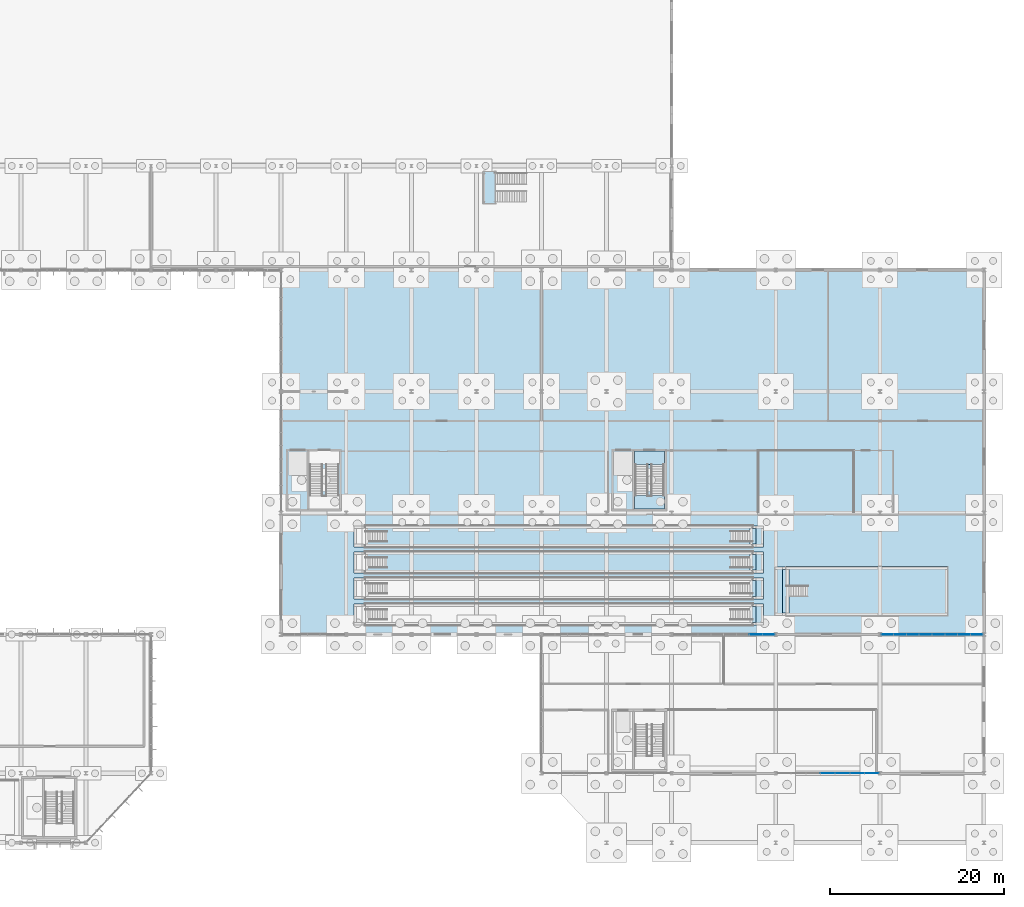
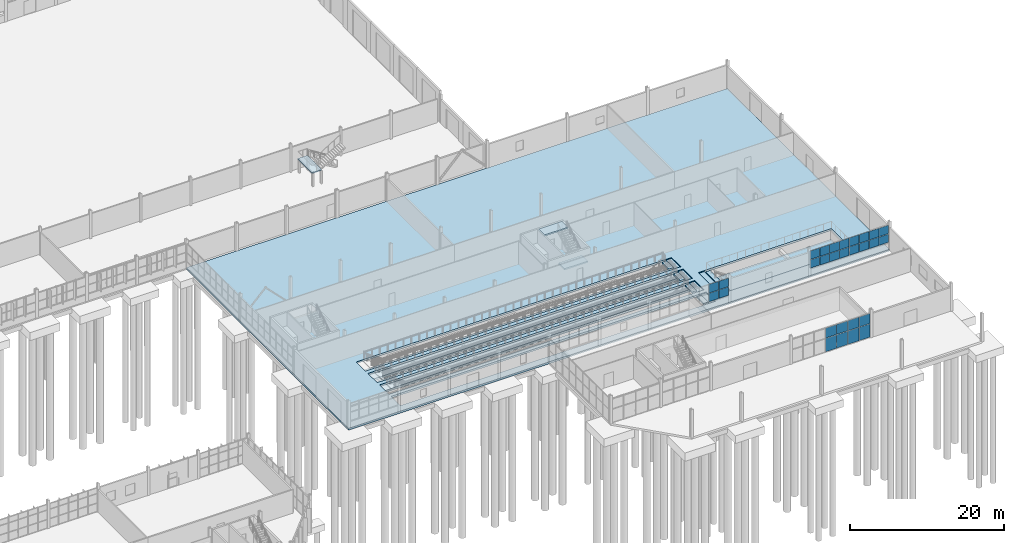
# One storey, part 97 of 136: 28 plates, 17 slabs, 5 elements without a shape of their own.
"""IFC4 building model written with IfcOpenShell, lengths in metres."""

from ifc_helpers import new_model, si_unit, direction, frame, origin, origin_2d, place, context, subcontext, project, spatial, polyline, rectangle, outline, extrude, material, layer, layer_set, type_object, element, aggregate, save


model = new_model("IFC4")

# Units and contexts
model_context = context("Model", 3, precision=1e-05, world=origin(), true_north=direction((0.0, 1.0)))
body_context = subcontext(model_context, "Body", "Model", "MODEL_VIEW")
ifc_project = project(units=[si_unit("LENGTHUNIT", "METRE"), si_unit("AREAUNIT", "SQUARE_METRE"), si_unit("VOLUMEUNIT", "CUBIC_METRE"), si_unit("PLANEANGLEUNIT", "RADIAN"), si_unit("MASSUNIT", "GRAM", prefix="KILO")], contexts=[model_context])

# Site, building, storey
site_placement = place(None, origin())
site = spatial("IfcSite", under=ifc_project, at=site_placement, CompositionType="ELEMENT")
building_placement = place(site_placement, origin())
building = spatial("IfcBuilding", under=site, at=building_placement, Name="Solvenia Promenade Tram Depot", CompositionType="ELEMENT")
storey_placement = place(building_placement, origin())
storey = spatial("IfcBuildingStorey", under=building, at=storey_placement, Name="L00", CompositionType="ELEMENT", Elevation=0.0)

# Curtain wall, plates
ifc_material_1 = material(Name="Anodized aluminium AW-6063 T6", Category="aluminium")
ifc_layer_1 = layer(ifc_material_1, 0.179931640625, Name="Anodized aluminium AW-6063 T6", Category="aluminium")
ifc_layer_set_1 = layer_set([ifc_layer_1], Name="Anodized aluminium AW-6063 T6")
curtain_wall_type_1 = type_object("IfcCurtainWallType", Name="CW-Prom-1800", PredefinedType="NOTDEFINED", material=ifc_layer_set_1)
curtain_wall_1_placement = place(storey_placement, origin())
curtain_wall_1 = element("IfcCurtainWall", 1, at=curtain_wall_1_placement, inside=storey, type_object=curtain_wall_type_1, Name="Curtain Wall CW-V5S-L0-04", PredefinedType="NOTDEFINED")
ifc_material_2 = material(Name="Double low-e argon insulated glass", Category="glass")
ifc_layer_2 = layer(ifc_material_2, 0.031982421875, Name="Double low-e argon insulated glass", Category="glass")
ifc_layer_set_2 = layer_set([ifc_layer_2], Name="Double low-e argon insulated glass")
plate_type_1 = type_object("IfcPlateType", Name="CWP-Panel-2", PredefinedType="CURTAIN_PANEL", material=ifc_layer_set_2)
plate_1_placement = place(storey_placement, frame((168.0, 8.0, 0.05517578125), z_axis=(0.0, 0.0, 1.0), x_axis=(1.0, 0.0, 0.0)))
plate_1 = element("IfcPlate", 2, at=plate_1_placement, type_object=plate_type_1, Name="CW-9 panel 4.1", PredefinedType="CURTAIN_PANEL", context=body_context, shape_type="SweptSolid", body=[
    extrude(rectangle(XDim=1.636474609375, YDim=0.031982421875, at=origin_2d()), origin(), (0.0, 0.0, 1.0), 2.117431640625),
])
plate_2_placement = place(storey_placement, frame((168.0, 8.0, 2.2275390625), z_axis=(0.0, 0.0, 1.0), x_axis=(1.0, 0.0, 0.0)))
plate_2 = element("IfcPlate", 3, at=plate_2_placement, type_object=plate_type_1, Name="CW-9 panel 4.2", PredefinedType="CURTAIN_PANEL", context=body_context, shape_type="SweptSolid", body=[
    extrude(rectangle(XDim=1.636474609375, YDim=0.031982421875, at=origin_2d()), origin(), (0.0, 0.0, 1.0), 1.5673828125),
])
plate_3_placement = place(storey_placement, frame((169.69140625, 8.0, 0.05517578125), z_axis=(0.0, 0.0, 1.0), x_axis=(1.0, 0.0, 0.0)))
plate_3 = element("IfcPlate", 4, at=plate_3_placement, type_object=plate_type_1, Name="CW-9 panel 5.1", PredefinedType="CURTAIN_PANEL", context=body_context, shape_type="SweptSolid", body=[
    extrude(rectangle(XDim=1.636474609375, YDim=0.031982421875, at=origin_2d()), origin(), (0.0, 0.0, 1.0), 2.117431640625),
])
plate_4_placement = place(storey_placement, frame((169.69140625, 8.0, 2.2275390625), z_axis=(0.0, 0.0, 1.0), x_axis=(1.0, 0.0, 0.0)))
plate_4 = element("IfcPlate", 5, at=plate_4_placement, type_object=plate_type_1, Name="CW-9 panel 5.2", PredefinedType="CURTAIN_PANEL", context=body_context, shape_type="SweptSolid", body=[
    extrude(rectangle(XDim=1.636474609375, YDim=0.031982421875, at=origin_2d()), origin(), (0.0, 0.0, 1.0), 1.5673828125),
])
plate_5_placement = place(storey_placement, frame((171.3828125, 8.0, 0.05517578125), z_axis=(0.0, 0.0, 1.0), x_axis=(1.0, 0.0, 0.0)))
plate_5 = element("IfcPlate", 6, at=plate_5_placement, type_object=plate_type_1, Name="CW-9 panel 6.1", PredefinedType="CURTAIN_PANEL", context=body_context, shape_type="SweptSolid", body=[
    extrude(rectangle(XDim=1.636474609375, YDim=0.031982421875, at=origin_2d()), origin(), (0.0, 0.0, 1.0), 2.117431640625),
])
plate_6_placement = place(storey_placement, frame((171.3828125, 8.0, 2.2275390625), z_axis=(0.0, 0.0, 1.0), x_axis=(1.0, 0.0, 0.0)))
plate_6 = element("IfcPlate", 7, at=plate_6_placement, type_object=plate_type_1, Name="CW-9 panel 6.2", PredefinedType="CURTAIN_PANEL", context=body_context, shape_type="SweptSolid", body=[
    extrude(rectangle(XDim=1.636474609375, YDim=0.031982421875, at=origin_2d()), origin(), (0.0, 0.0, 1.0), 1.5673828125),
])
plate_7_placement = place(storey_placement, frame((173.060546875, 8.0, 0.05517578125), z_axis=(0.0, 0.0, 1.0), x_axis=(1.0, 0.0, 0.0)))
plate_7 = element("IfcPlate", 8, at=plate_7_placement, type_object=plate_type_1, Name="CW-9 panel 7.1", PredefinedType="CURTAIN_PANEL", context=body_context, shape_type="SweptSolid", body=[
    extrude(rectangle(XDim=1.60888671875, YDim=0.031982421875, at=origin_2d()), origin(), (0.0, 0.0, 1.0), 2.117431640625),
])
plate_8_placement = place(storey_placement, frame((173.060546875, 8.0, 2.2275390625), z_axis=(0.0, 0.0, 1.0), x_axis=(1.0, 0.0, 0.0)))
plate_8 = element("IfcPlate", 9, at=plate_8_placement, type_object=plate_type_1, Name="CW-9 panel 7.2", PredefinedType="CURTAIN_PANEL", context=body_context, shape_type="SweptSolid", body=[
    extrude(rectangle(XDim=1.60888671875, YDim=0.031982421875, at=origin_2d()), origin(), (0.0, 0.0, 1.0), 1.5673828125),
])
aggregate(curtain_wall_1, [plate_1, plate_2, plate_3, plate_4, plate_5, plate_6, plate_7, plate_8])

ifc_layer_3 = layer(ifc_material_1, 0.179931640625, Name="Anodized aluminium AW-6063 T6", Category="aluminium")
ifc_layer_set_3 = layer_set([ifc_layer_3], Name="Anodized aluminium AW-6063 T6")
curtain_wall_type_2 = type_object("IfcCurtainWallType", Name="CW-Solar-1500", PredefinedType="NOTDEFINED", material=ifc_layer_set_3)
curtain_wall_2_placement = place(storey_placement, origin())
curtain_wall_2 = element("IfcCurtainWall", 10, at=curtain_wall_2_placement, inside=storey, type_object=curtain_wall_type_2, Name="Curtain Wall CW-V2S-L0-07", PredefinedType="NOTDEFINED")
ifc_layer_4 = layer(ifc_material_2, 0.035888671875, Name="Double low-e argon insulated glass", Category="glass")
ifc_layer_set_4 = layer_set([ifc_layer_4], Name="Double low-e argon insulated glass")
plate_type_2 = type_object("IfcPlateType", Name="CWP-Panel-3", PredefinedType="CURTAIN_PANEL", material=ifc_layer_set_4)
plate_9_placement = place(storey_placement, frame((159.699951171875, 24.0, 1.157958984375), z_axis=(0.0, 0.0, 1.0), x_axis=(1.0, 0.0, 0.0)))
plate_9 = element("IfcPlate", 11, at=plate_9_placement, type_object=plate_type_2, Name="CW-7 panel 7.1", PredefinedType="CURTAIN_PANEL", context=body_context, shape_type="SweptSolid", body=[
    extrude(rectangle(XDim=1.431884765625, YDim=0.035888671875, at=origin_2d()), origin(), (0.0, 0.0, 1.0), 1.31298828125),
])
plate_10_placement = place(storey_placement, frame((159.699951171875, 24.0, 2.52880859375), z_axis=(0.0, 0.0, 1.0), x_axis=(1.0, 0.0, 0.0)))
plate_10 = element("IfcPlate", 12, at=plate_10_placement, type_object=plate_type_2, Name="CW-7 panel 7.2", PredefinedType="CURTAIN_PANEL", context=body_context, shape_type="SweptSolid", body=[
    extrude(rectangle(XDim=1.431884765625, YDim=0.035888671875, at=origin_2d()), origin(), (0.0, 0.0, 1.0), 1.363037109375),
])
plate_11_placement = place(storey_placement, frame((161.16796875, 24.0, 1.157958984375), z_axis=(0.0, 0.0, 1.0), x_axis=(1.0, 0.0, 0.0)))
plate_11 = element("IfcPlate", 13, at=plate_11_placement, type_object=plate_type_2, Name="CW-7 panel 8.1", PredefinedType="CURTAIN_PANEL", context=body_context, shape_type="SweptSolid", body=[
    extrude(rectangle(XDim=1.407958984375, YDim=0.035888671875, at=origin_2d()), origin(), (0.0, 0.0, 1.0), 1.31298828125),
])
plate_12_placement = place(storey_placement, frame((161.16796875, 24.0, 2.52880859375), z_axis=(0.0, 0.0, 1.0), x_axis=(1.0, 0.0, 0.0)))
plate_12 = element("IfcPlate", 14, at=plate_12_placement, type_object=plate_type_2, Name="CW-7 panel 8.2", PredefinedType="CURTAIN_PANEL", context=body_context, shape_type="SweptSolid", body=[
    extrude(rectangle(XDim=1.407958984375, YDim=0.035888671875, at=origin_2d()), origin(), (0.0, 0.0, 1.0), 1.363037109375),
])
aggregate(curtain_wall_2, [plate_9, plate_10, plate_11, plate_12])

curtain_wall_3_placement = place(storey_placement, origin())
curtain_wall_3 = element("IfcCurtainWall", 15, at=curtain_wall_3_placement, inside=storey, type_object=curtain_wall_type_2, Name="Curtain Wall CW-V2S-L0-09", PredefinedType="NOTDEFINED")
plate_13_placement = place(storey_placement, frame((174.83203125, 24.0, 1.157958984375), z_axis=(0.0, 0.0, 1.0), x_axis=(1.0, 0.0, 0.0)))
plate_13 = element("IfcPlate", 16, at=plate_13_placement, type_object=plate_type_2, Name="CW-7 panel 1.1", PredefinedType="CURTAIN_PANEL", context=body_context, shape_type="SweptSolid", body=[
    extrude(rectangle(XDim=1.407958984375, YDim=0.035888671875, at=origin_2d()), origin(), (0.0, 0.0, 1.0), 1.31298828125),
])
plate_14_placement = place(storey_placement, frame((174.83203125, 24.0, 2.52880859375), z_axis=(0.0, 0.0, 1.0), x_axis=(1.0, 0.0, 0.0)))
plate_14 = element("IfcPlate", 17, at=plate_14_placement, type_object=plate_type_2, Name="CW-7 panel 1.2", PredefinedType="CURTAIN_PANEL", context=body_context, shape_type="SweptSolid", body=[
    extrude(rectangle(XDim=1.407958984375, YDim=0.035888671875, at=origin_2d()), origin(), (0.0, 0.0, 1.0), 1.363037109375),
])
plate_15_placement = place(storey_placement, frame((176.300048828125, 24.0, 1.157958984375), z_axis=(0.0, 0.0, 1.0), x_axis=(1.0, 0.0, 0.0)))
plate_15 = element("IfcPlate", 18, at=plate_15_placement, type_object=plate_type_2, Name="CW-7 panel 2.1", PredefinedType="CURTAIN_PANEL", context=body_context, shape_type="SweptSolid", body=[
    extrude(rectangle(XDim=1.431884765625, YDim=0.035888671875, at=origin_2d()), origin(), (0.0, 0.0, 1.0), 1.31298828125),
])
plate_16_placement = place(storey_placement, frame((176.300048828125, 24.0, 2.52880859375), z_axis=(0.0, 0.0, 1.0), x_axis=(1.0, 0.0, 0.0)))
plate_16 = element("IfcPlate", 19, at=plate_16_placement, type_object=plate_type_2, Name="CW-7 panel 2.2", PredefinedType="CURTAIN_PANEL", context=body_context, shape_type="SweptSolid", body=[
    extrude(rectangle(XDim=1.431884765625, YDim=0.035888671875, at=origin_2d()), origin(), (0.0, 0.0, 1.0), 1.363037109375),
])
plate_17_placement = place(storey_placement, frame((177.780029296875, 24.0, 1.157958984375), z_axis=(0.0, 0.0, 1.0), x_axis=(1.0, 0.0, 0.0)))
plate_17 = element("IfcPlate", 20, at=plate_17_placement, type_object=plate_type_2, Name="CW-7 panel 3.1", PredefinedType="CURTAIN_PANEL", context=body_context, shape_type="SweptSolid", body=[
    extrude(rectangle(XDim=1.431884765625, YDim=0.035888671875, at=origin_2d()), origin(), (0.0, 0.0, 1.0), 1.31298828125),
])
plate_18_placement = place(storey_placement, frame((177.780029296875, 24.0, 2.52880859375), z_axis=(0.0, 0.0, 1.0), x_axis=(1.0, 0.0, 0.0)))
plate_18 = element("IfcPlate", 21, at=plate_18_placement, type_object=plate_type_2, Name="CW-7 panel 3.2", PredefinedType="CURTAIN_PANEL", context=body_context, shape_type="SweptSolid", body=[
    extrude(rectangle(XDim=1.431884765625, YDim=0.035888671875, at=origin_2d()), origin(), (0.0, 0.0, 1.0), 1.363037109375),
])
plate_19_placement = place(storey_placement, frame((179.260009765625, 24.0, 1.157958984375), z_axis=(0.0, 0.0, 1.0), x_axis=(1.0, 0.0, 0.0)))
plate_19 = element("IfcPlate", 22, at=plate_19_placement, type_object=plate_type_2, Name="CW-7 panel 4.1", PredefinedType="CURTAIN_PANEL", context=body_context, shape_type="SweptSolid", body=[
    extrude(rectangle(XDim=1.431884765625, YDim=0.035888671875, at=origin_2d()), origin(), (0.0, 0.0, 1.0), 1.31298828125),
])
plate_20_placement = place(storey_placement, frame((179.260009765625, 24.0, 2.52880859375), z_axis=(0.0, 0.0, 1.0), x_axis=(1.0, 0.0, 0.0)))
plate_20 = element("IfcPlate", 23, at=plate_20_placement, type_object=plate_type_2, Name="CW-7 panel 4.2", PredefinedType="CURTAIN_PANEL", context=body_context, shape_type="SweptSolid", body=[
    extrude(rectangle(XDim=1.431884765625, YDim=0.035888671875, at=origin_2d()), origin(), (0.0, 0.0, 1.0), 1.363037109375),
])
plate_21_placement = place(storey_placement, frame((180.739990234375, 24.0, 1.157958984375), z_axis=(0.0, 0.0, 1.0), x_axis=(1.0, 0.0, 0.0)))
plate_21 = element("IfcPlate", 24, at=plate_21_placement, type_object=plate_type_2, Name="CW-7 panel 5.1", PredefinedType="CURTAIN_PANEL", context=body_context, shape_type="SweptSolid", body=[
    extrude(rectangle(XDim=1.431884765625, YDim=0.035888671875, at=origin_2d()), origin(), (0.0, 0.0, 1.0), 1.31298828125),
])
plate_22_placement = place(storey_placement, frame((180.739990234375, 24.0, 2.52880859375), z_axis=(0.0, 0.0, 1.0), x_axis=(1.0, 0.0, 0.0)))
plate_22 = element("IfcPlate", 25, at=plate_22_placement, type_object=plate_type_2, Name="CW-7 panel 5.2", PredefinedType="CURTAIN_PANEL", context=body_context, shape_type="SweptSolid", body=[
    extrude(rectangle(XDim=1.431884765625, YDim=0.035888671875, at=origin_2d()), origin(), (0.0, 0.0, 1.0), 1.363037109375),
])
plate_23_placement = place(storey_placement, frame((182.219970703125, 24.0, 1.157958984375), z_axis=(0.0, 0.0, 1.0), x_axis=(1.0, 0.0, 0.0)))
plate_23 = element("IfcPlate", 26, at=plate_23_placement, type_object=plate_type_2, Name="CW-7 panel 6.1", PredefinedType="CURTAIN_PANEL", context=body_context, shape_type="SweptSolid", body=[
    extrude(rectangle(XDim=1.431884765625, YDim=0.035888671875, at=origin_2d()), origin(), (0.0, 0.0, 1.0), 1.31298828125),
])
plate_24_placement = place(storey_placement, frame((182.219970703125, 24.0, 2.52880859375), z_axis=(0.0, 0.0, 1.0), x_axis=(1.0, 0.0, 0.0)))
plate_24 = element("IfcPlate", 27, at=plate_24_placement, type_object=plate_type_2, Name="CW-7 panel 6.2", PredefinedType="CURTAIN_PANEL", context=body_context, shape_type="SweptSolid", body=[
    extrude(rectangle(XDim=1.431884765625, YDim=0.035888671875, at=origin_2d()), origin(), (0.0, 0.0, 1.0), 1.363037109375),
])
plate_25_placement = place(storey_placement, frame((183.699951171875, 24.0, 1.157958984375), z_axis=(0.0, 0.0, 1.0), x_axis=(1.0, 0.0, 0.0)))
plate_25 = element("IfcPlate", 28, at=plate_25_placement, type_object=plate_type_2, Name="CW-7 panel 7.1", PredefinedType="CURTAIN_PANEL", context=body_context, shape_type="SweptSolid", body=[
    extrude(rectangle(XDim=1.431884765625, YDim=0.035888671875, at=origin_2d()), origin(), (0.0, 0.0, 1.0), 1.31298828125),
])
plate_26_placement = place(storey_placement, frame((183.699951171875, 24.0, 2.52880859375), z_axis=(0.0, 0.0, 1.0), x_axis=(1.0, 0.0, 0.0)))
plate_26 = element("IfcPlate", 29, at=plate_26_placement, type_object=plate_type_2, Name="CW-7 panel 7.2", PredefinedType="CURTAIN_PANEL", context=body_context, shape_type="SweptSolid", body=[
    extrude(rectangle(XDim=1.431884765625, YDim=0.035888671875, at=origin_2d()), origin(), (0.0, 0.0, 1.0), 1.363037109375),
])
plate_27_placement = place(storey_placement, frame((185.16796875, 24.0, 1.157958984375), z_axis=(0.0, 0.0, 1.0), x_axis=(1.0, 0.0, 0.0)))
plate_27 = element("IfcPlate", 30, at=plate_27_placement, type_object=plate_type_2, Name="CW-7 panel 8.1", PredefinedType="CURTAIN_PANEL", context=body_context, shape_type="SweptSolid", body=[
    extrude(rectangle(XDim=1.407958984375, YDim=0.035888671875, at=origin_2d()), origin(), (0.0, 0.0, 1.0), 1.31298828125),
])
plate_28_placement = place(storey_placement, frame((185.16796875, 24.0, 2.52880859375), z_axis=(0.0, 0.0, 1.0), x_axis=(1.0, 0.0, 0.0)))
plate_28 = element("IfcPlate", 31, at=plate_28_placement, type_object=plate_type_2, Name="CW-7 panel 8.2", PredefinedType="CURTAIN_PANEL", context=body_context, shape_type="SweptSolid", body=[
    extrude(rectangle(XDim=1.407958984375, YDim=0.035888671875, at=origin_2d()), origin(), (0.0, 0.0, 1.0), 1.363037109375),
])
aggregate(curtain_wall_3, [plate_13, plate_14, plate_15, plate_16, plate_17, plate_18, plate_19, plate_20, plate_21, plate_22, plate_23, plate_24, plate_25, plate_26, plate_27, plate_28])

# Slabs
ifc_material_3 = material(Name="Concrete C28/35", Category="concrete")
ifc_layer_5 = layer(ifc_material_3, 0.300048828125, Name="Concrete C28/35", Category="concrete")
ifc_layer_set_5 = layer_set([ifc_layer_5], Name="Concrete C28/35")
slab_type_1 = type_object("IfcSlabType", Name="Slab-Base-300", PredefinedType="BASESLAB", material=ifc_layer_set_5)
slab_1_placement = place(storey_placement, frame((0.0, 0.0, -0.300048828125)))
element("IfcSlab", 32, at=slab_1_placement, inside=storey, type_object=slab_type_1, Name="L00 V2 Structural Slab", PredefinedType="BASESLAB", context=body_context, shape_type="SweptSolid", body=[
    extrude(outline(polyline([(105.0, 24.0), (186.0, 24.0), (186.0, 66.0), (105.0, 66.0), (105.0, 24.0)]), holes=[polyline([(113.39990234375, 27.5), (160.60009765625, 27.5), (160.60009765625, 25.10009765625), (113.39990234375, 25.10009765625), (113.39990234375, 27.5)]), polyline([(113.39990234375, 30.5), (160.60009765625, 30.5), (160.60009765625, 28.10009765625), (113.39990234375, 28.10009765625), (113.39990234375, 30.5)]), polyline([(113.39990234375, 33.5), (160.60009765625, 33.5), (160.60009765625, 31.10009765625), (113.39990234375, 31.10009765625), (113.39990234375, 33.5)]), polyline([(113.39990234375, 36.5), (160.60009765625, 36.5), (160.60009765625, 34.10009765625), (113.39990234375, 34.10009765625), (113.39990234375, 36.5)]), polyline([(161.89990234375, 31.800048828125), (181.800048828125, 31.800048828125), (181.800048828125, 26.199951171875), (161.89990234375, 26.199951171875), (161.89990234375, 31.800048828125)])]), origin(), (0.0, 0.0, 1.0), 0.300048828125),
])
ifc_layer_6 = layer(ifc_material_3, 0.199951171875, Name="Concrete C28/35", Category="concrete")
ifc_layer_set_6 = layer_set([ifc_layer_6], Name="Concrete C28/35")
slab_type_2 = type_object("IfcSlabType", Name="Slab-Drain-200", PredefinedType="FLOOR", material=ifc_layer_set_6)
slab_2_placement = place(storey_placement, frame((0.0, 0.0, -0.330078125)))
element("IfcSlab", 33, at=slab_2_placement, inside=storey, type_object=slab_type_2, Name="Inspection Pit Bay 1 East Recessed Trench Cover Slab", PredefinedType="FLOOR", context=body_context, shape_type="SweptSolid", body=[
    extrude(outline(polyline([(159.699951171875, 25.10009765625), (160.60009765625, 25.10009765625), (160.60009765625, 27.5), (159.699951171875, 27.5), (159.699951171875, 25.10009765625)])), origin(), (0.0, 0.0, 1.0), 0.2001953125),
])
slab_3_placement = place(storey_placement, frame((0.0, 0.0, -0.330078125)))
element("IfcSlab", 34, at=slab_3_placement, inside=storey, type_object=slab_type_2, Name="Inspection Pit Bay 2 East Recessed Trench Cover Slab", PredefinedType="FLOOR", context=body_context, shape_type="SweptSolid", body=[
    extrude(outline(polyline([(159.699951171875, 28.10009765625), (160.60009765625, 28.10009765625), (160.60009765625, 30.5), (159.699951171875, 30.5), (159.699951171875, 28.10009765625)])), origin(), (0.0, 0.0, 1.0), 0.2001953125),
])
slab_4_placement = place(storey_placement, frame((0.0, 0.0, -0.330078125)))
element("IfcSlab", 35, at=slab_4_placement, inside=storey, type_object=slab_type_2, Name="Inspection Pit Bay 3 East Recessed Trench Cover Slab", PredefinedType="FLOOR", context=body_context, shape_type="SweptSolid", body=[
    extrude(outline(polyline([(159.699951171875, 31.10009765625), (160.60009765625, 31.10009765625), (160.60009765625, 33.5), (159.699951171875, 33.5), (159.699951171875, 31.10009765625)])), origin(), (0.0, 0.0, 1.0), 0.2001953125),
])
slab_5_placement = place(storey_placement, frame((0.0, 0.0, -0.330078125)))
element("IfcSlab", 36, at=slab_5_placement, inside=storey, type_object=slab_type_2, Name="Inspection Pit Bay 4 East Recessed Trench Cover Slab", PredefinedType="FLOOR", context=body_context, shape_type="SweptSolid", body=[
    extrude(outline(polyline([(159.699951171875, 34.10009765625), (160.60009765625, 34.10009765625), (160.60009765625, 36.5), (159.699951171875, 36.5), (159.699951171875, 34.10009765625)])), origin(), (0.0, 0.0, 1.0), 0.2001953125),
])
slab_6_placement = place(storey_placement, frame((0.0, 0.0, -0.330078125)))
element("IfcSlab", 37, at=slab_6_placement, inside=storey, type_object=slab_type_2, Name="Underfloor Wheel Lathe Bay Recessed Trench Cover Slab", PredefinedType="FLOOR", context=body_context, shape_type="SweptSolid", body=[
    extrude(outline(polyline([(161.89990234375, 26.199951171875), (162.800048828125, 26.199951171875), (162.800048828125, 31.800048828125), (161.89990234375, 31.800048828125), (161.89990234375, 26.199951171875)])), origin(), (0.0, 0.0, 1.0), 0.2001953125),
])
ifc_layer_7 = layer(ifc_material_3, 0.219970703125, Name="Concrete C28/35", Category="concrete")
ifc_layer_set_7 = layer_set([ifc_layer_7], Name="Concrete C28/35")
slab_type_3 = type_object("IfcSlabType", Name="Slab-Floor-220", PredefinedType="FLOOR", material=ifc_layer_set_7)
slab_7_placement = place(storey_placement, frame((0.0, 0.0, -0.219970703125)))
element("IfcSlab", 38, at=slab_7_placement, inside=storey, type_object=slab_type_3, Name="Inspection Pit Bay 1 East Stair Arrival Apron", PredefinedType="FLOOR", context=body_context, shape_type="SweptSolid", body=[
    extrude(outline(polyline([(159.0, 25.39990234375), (159.699951171875, 25.39990234375), (159.699951171875, 27.199951171875), (159.0, 27.199951171875), (159.0, 25.39990234375)])), origin(), (0.0, 0.0, 1.0), 0.219970703125),
])
slab_8_placement = place(storey_placement, frame((0.0, 0.0, -0.219970703125)))
element("IfcSlab", 39, at=slab_8_placement, inside=storey, type_object=slab_type_3, Name="Inspection Pit Bay 2 East Stair Arrival Apron", PredefinedType="FLOOR", context=body_context, shape_type="SweptSolid", body=[
    extrude(outline(polyline([(159.0, 28.39990234375), (159.699951171875, 28.39990234375), (159.699951171875, 30.199951171875), (159.0, 30.199951171875), (159.0, 28.39990234375)])), origin(), (0.0, 0.0, 1.0), 0.219970703125),
])
slab_9_placement = place(storey_placement, frame((0.0, 0.0, -0.219970703125)))
element("IfcSlab", 40, at=slab_9_placement, inside=storey, type_object=slab_type_3, Name="Inspection Pit Bay 3 East Stair Arrival Apron", PredefinedType="FLOOR", context=body_context, shape_type="SweptSolid", body=[
    extrude(outline(polyline([(159.0, 31.39990234375), (159.699951171875, 31.39990234375), (159.699951171875, 33.199951171875), (159.0, 33.199951171875), (159.0, 31.39990234375)])), origin(), (0.0, 0.0, 1.0), 0.219970703125),
])
slab_10_placement = place(storey_placement, frame((0.0, 0.0, -0.219970703125)))
element("IfcSlab", 41, at=slab_10_placement, inside=storey, type_object=slab_type_3, Name="Inspection Pit Bay 4 East Stair Arrival Apron", PredefinedType="FLOOR", context=body_context, shape_type="SweptSolid", body=[
    extrude(outline(polyline([(159.0, 34.39990234375), (159.699951171875, 34.39990234375), (159.699951171875, 36.199951171875), (159.0, 36.199951171875), (159.0, 34.39990234375)])), origin(), (0.0, 0.0, 1.0), 0.219970703125),
])
slab_11_placement = place(storey_placement, frame((0.0, 0.0, -0.219970703125)))
element("IfcSlab", 42, at=slab_11_placement, inside=storey, type_object=slab_type_3, Name="Underfloor Wheel Lathe Bay West Stair Arrival Apron", PredefinedType="FLOOR", context=body_context, shape_type="SweptSolid", body=[
    extrude(outline(polyline([(162.800048828125, 26.5), (163.5, 26.5), (163.5, 31.5), (162.800048828125, 31.5), (162.800048828125, 26.5)])), origin(), (0.0, 0.0, 1.0), 0.219970703125),
])

# Stair, slab
ifc_material_4 = material(Name="Structural steel ASTM A992 Gr. 50", Category="steel")
stair_type_1 = type_object("IfcStairType", Name="Stair-Gallery-1280", PredefinedType="TWO_STRAIGHT_RUN_STAIR", material=ifc_material_4)
stair_1_placement = place(storey_placement, origin())
stair_1 = element("IfcStair", 43, at=stair_1_placement, inside=storey, type_object=stair_type_1, Name="Catenary Gallery Steel Stair ST-GAL-02", PredefinedType="TWO_STRAIGHT_RUN_STAIR")
ifc_layer_8 = layer(ifc_material_3, 0.1650390625, Name="Concrete C28/35", Category="concrete")
ifc_layer_set_8 = layer_set([ifc_layer_8], Name="Concrete C28/35")
slab_type_4 = type_object("IfcSlabType", Name="Slab-Landing-165", PredefinedType="LANDING", material=ifc_layer_set_8)
slab_12_placement = place(storey_placement, frame((0.0, 0.0, 2.0849609375)))
slab_12 = element("IfcSlab", 44, at=slab_12_placement, type_object=slab_type_4, Name="ST-GAL-02 landing 1", PredefinedType="LANDING", context=body_context, shape_type="SweptSolid", body=[
    extrude(outline(polyline([(128.199951171875, 73.64990234375), (129.64990234375, 73.64990234375), (129.64990234375, 77.35009765625), (128.199951171875, 77.35009765625), (128.199951171875, 73.64990234375)])), origin(), (0.0, 0.0, 1.0), 0.1650390625),
])
aggregate(stair_1, [slab_12])

# Stair, slabs
stair_type_2 = type_object("IfcStairType", Name="Stair-Core-1460", PredefinedType="TWO_STRAIGHT_RUN_STAIR", material=ifc_material_3)
stair_2_placement = place(storey_placement, origin())
stair_2 = element("IfcStair", 45, at=stair_2_placement, inside=storey, type_object=stair_type_2, Name="Enclosed Exit Stair ST-06-L00", PredefinedType="TWO_STRAIGHT_RUN_STAIR")
ifc_layer_9 = layer(ifc_material_3, 0.22509765625, Name="Concrete C28/35", Category="concrete")
ifc_layer_set_9 = layer_set([ifc_layer_9], Name="Concrete C28/35")
slab_type_5 = type_object("IfcSlabType", Name="Slab-Landing-225", PredefinedType="LANDING", material=ifc_layer_set_9)
slab_13_placement = place(storey_placement, frame((0.0, 0.0, 2.02490234375)))
slab_13 = element("IfcSlab", 46, at=slab_13_placement, type_object=slab_type_5, Name="ST-06-L00 landing 1", PredefinedType="LANDING", context=body_context, shape_type="SweptSolid", body=[
    extrude(outline(polyline([(145.699951171875, 38.449951171875), (149.199951171875, 38.449951171875), (149.199951171875, 40.010009765625), (145.699951171875, 40.010009765625), (145.699951171875, 38.449951171875)])), origin(), (0.0, 0.0, 1.0), 0.22509765625),
])
slab_14_placement = place(storey_placement, frame((0.0, 0.0, 4.27490234375)))
slab_14 = element("IfcSlab", 47, at=slab_14_placement, type_object=slab_type_5, Name="ST-06-L00 landing 2", PredefinedType="LANDING", context=body_context, shape_type="SweptSolid", body=[
    extrude(outline(polyline([(145.699951171875, 43.590087890625), (149.199951171875, 43.590087890625), (149.199951171875, 45.14990234375), (145.699951171875, 45.14990234375), (145.699951171875, 43.590087890625)])), origin(), (0.0, 0.0, 1.0), 0.22509765625),
])
aggregate(stair_2, [slab_13, slab_14])

# Slabs
ifc_material_5 = material(Name="Concrete C35/45", Category="concrete")
ifc_layer_10 = layer(ifc_material_5, 0.35009765625, Name="Concrete C35/45", Category="concrete")
ifc_layer_set_10 = layer_set([ifc_layer_10], Name="Concrete C35/45")
slab_type_6 = type_object("IfcSlabType", Name="Slab-Pit-350", PredefinedType="BASESLAB", material=ifc_layer_set_10)
slab_15_placement = place(storey_placement, frame((0.0, 0.0, -2.02490234375)))
element("IfcSlab", 48, at=slab_15_placement, inside=storey, type_object=slab_type_6, Name="Inspection Pit Bay 3 Base Slab", PredefinedType="BASESLAB", context=body_context, shape_type="SweptSolid", body=[
    extrude(outline(polyline([(113.39990234375, 31.10009765625), (160.60009765625, 31.10009765625), (160.60009765625, 33.5), (113.39990234375, 33.5), (113.39990234375, 31.10009765625)])), origin(), (0.0, 0.0, 1.0), 0.349853515625),
])
slab_16_placement = place(storey_placement, frame((0.0, 0.0, -2.02490234375)))
element("IfcSlab", 49, at=slab_16_placement, inside=storey, type_object=slab_type_6, Name="Inspection Pit Bay 4 Base Slab", PredefinedType="BASESLAB", context=body_context, shape_type="SweptSolid", body=[
    extrude(outline(polyline([(113.39990234375, 34.10009765625), (160.60009765625, 34.10009765625), (160.60009765625, 36.5), (113.39990234375, 36.5), (113.39990234375, 34.10009765625)])), origin(), (0.0, 0.0, 1.0), 0.349853515625),
])
slab_17_placement = place(storey_placement, frame((0.0, 0.0, -2.02490234375)))
element("IfcSlab", 50, at=slab_17_placement, inside=storey, type_object=slab_type_6, Name="Underfloor Wheel Lathe Bay Base Slab", PredefinedType="BASESLAB", context=body_context, shape_type="SweptSolid", body=[
    extrude(outline(polyline([(161.89990234375, 26.199951171875), (181.800048828125, 26.199951171875), (181.800048828125, 31.800048828125), (161.89990234375, 31.800048828125), (161.89990234375, 26.199951171875)])), origin(), (0.0, 0.0, 1.0), 0.349853515625),
])

save(model, "model.ifc")
